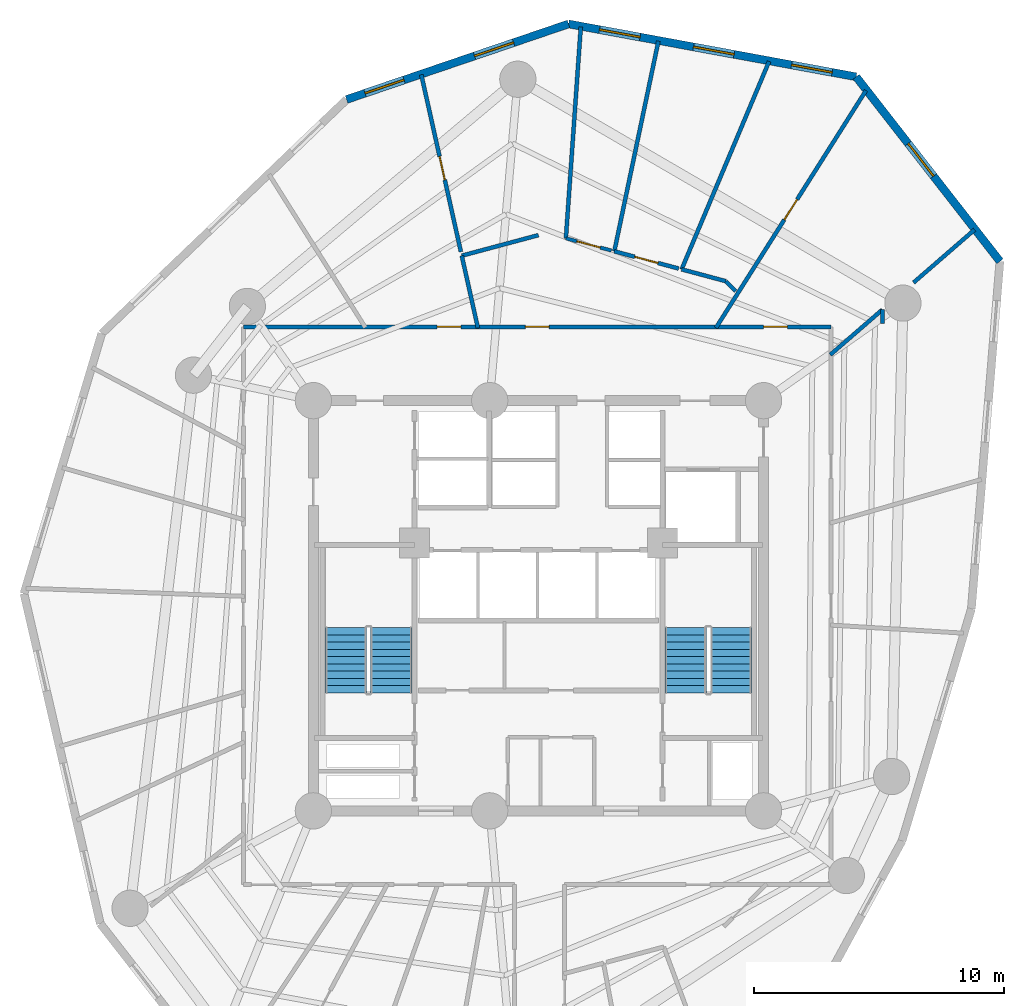
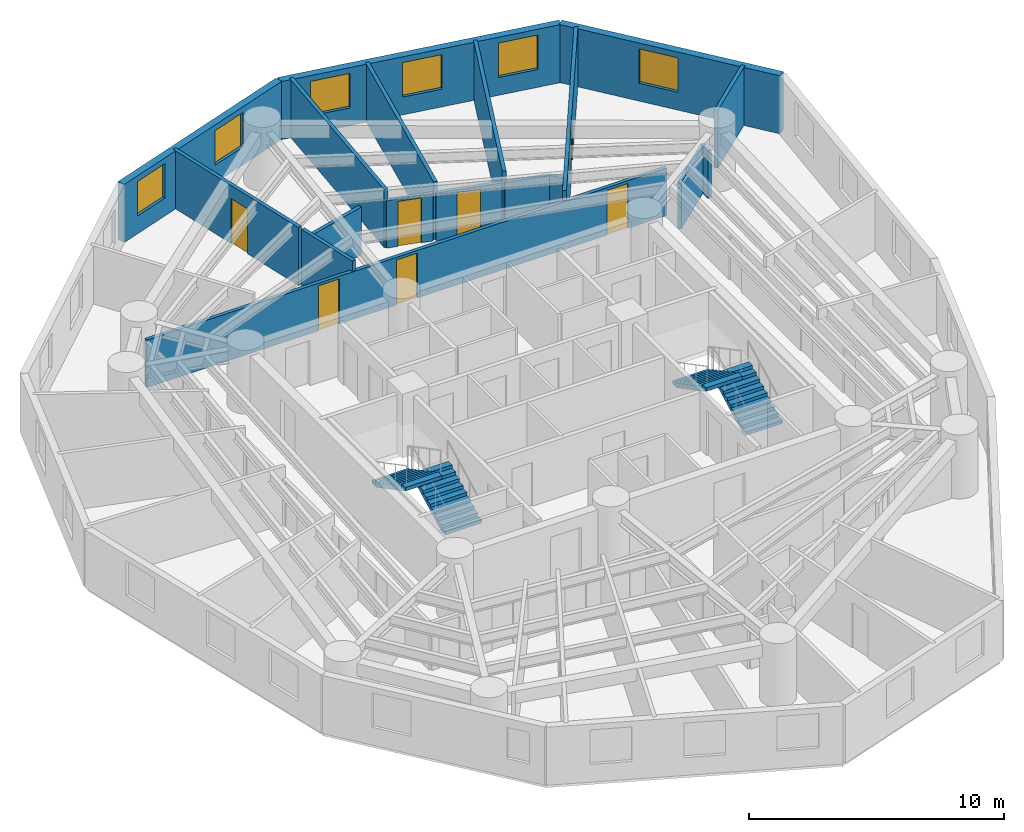
# One storey, part 6 of 7: 18 walls, 7 doors, 6 windows, 4 stair flights, 13 openings, 2 elements without a shape of their own.
"""IFC4 building model written with IfcOpenShell, lengths in metres."""

import ifcopenshell
import ifcopenshell.guid

model = None  # the IFC model being written
_history = None  # IfcOwnerHistory: only IFC2X3 demands one
_inside = {}  # id of a spatial element -> (the spatial element, [elements in it])
_under = {}  # id of a project, library or spatial element -> (it, [spatial elements below it])
_declared = {}  # id of a project -> (the project, [libraries it declares])
_typed = {}  # id of a type object -> (the type object, [elements of that type])
_made_of = {}  # id of a material, layer set ... -> (it, [elements and type objects made of it])


def new_model(schema):
    """Start an empty IFC model of exactly this schema.

    Asked for "IFC4X3", IfcOpenShell would pick the latest addendum, in which some entities
    have other attributes; the version numbers below select the first issue.
    IFC2X3 requires an IfcOwnerHistory on every rooted entity: one is made here for all.
    """
    global model, _history
    if schema == "IFC4X3":
        model = ifcopenshell.file(schema_version=(4, 3, 0, 0))
    else:
        model = ifcopenshell.file(schema=schema)
    _inside.clear()
    _under.clear()
    _declared.clear()
    _typed.clear()
    _made_of.clear()
    _history = None
    if model.schema == "IFC2X3":
        org = make("IfcOrganization", Name="unknown")
        user = make(
            "IfcPersonAndOrganization",
            ThePerson=make("IfcPerson", FamilyName="unknown"),
            TheOrganization=org,
        )
        app = make(
            "IfcApplication",
            ApplicationDeveloper=org,
            Version="unknown",
            ApplicationFullName="unknown",
            ApplicationIdentifier="unknown",
        )
        _history = make(
            "IfcOwnerHistory",
            OwningUser=user,
            OwningApplication=app,
            ChangeAction="ADDED",
            CreationDate=0,
        )
    return model


def make(cls, **values):
    """One entity of the class cls with the attributes given. An attribute that is None is left unset."""
    return model.create_entity(
        cls, **{name: value for name, value in values.items() if value is not None}
    )


def rooted(cls, **values):
    """An entity with a GlobalId (a new one), such as an element, a storey or a relation."""
    return make(cls, GlobalId=ifcopenshell.guid.new(), OwnerHistory=_history, **values)


def si_unit(unit_type, name, prefix=None):
    """IfcSIUnit, for example si_unit("LENGTHUNIT", "METRE", prefix="MILLI")."""
    return make("IfcSIUnit", UnitType=unit_type, Prefix=prefix, Name=name)


def assignment(units):
    """IfcUnitAssignment: the units of a project."""
    return None if units is None else make("IfcUnitAssignment", Units=units)


def point(xyz):
    """IfcCartesianPoint."""
    return None if xyz is None else make("IfcCartesianPoint", Coordinates=xyz)


def direction(xyz):
    """IfcDirection."""
    return None if xyz is None else make("IfcDirection", DirectionRatios=xyz)


def frame(location, z_axis=None, x_axis=None):
    """IfcAxis2Placement3D, a coordinate frame: its origin and axes. An axis left out is left unset."""
    return make(
        "IfcAxis2Placement3D",
        Location=point(location),
        Axis=direction(z_axis),
        RefDirection=direction(x_axis),
    )


def frame_2d(location, x_axis=None):
    """IfcAxis2Placement2D, a coordinate frame in the plane: its origin and x axis."""
    return make(
        "IfcAxis2Placement2D", Location=point(location), RefDirection=direction(x_axis)
    )


def origin():
    """The frame at (0, 0, 0) with its axes left unset."""
    return frame((0.0, 0.0, 0.0))


def origin_with_axes():
    """The frame at (0, 0, 0) with the z axis (0, 0, 1) and the x axis (1, 0, 0) written out."""
    return frame((0.0, 0.0, 0.0), z_axis=(0.0, 0.0, 1.0), x_axis=(1.0, 0.0, 0.0))


def place(relative_to, where):
    """IfcLocalPlacement: puts the frame where relative to a parent placement (None: the world)."""
    return make(
        "IfcLocalPlacement", PlacementRelTo=relative_to, RelativePlacement=where
    )


def context(
    kind, dimensions, precision=None, world=None, true_north=None, identifier=None
):
    """IfcGeometricRepresentationContext, for example the 3D "Model" context."""
    return make(
        "IfcGeometricRepresentationContext",
        ContextIdentifier=identifier,
        ContextType=kind,
        CoordinateSpaceDimension=dimensions,
        Precision=precision,
        WorldCoordinateSystem=world,
        TrueNorth=true_north,
    )


def subcontext(parent, identifier, kind, view, scale=None):
    """IfcGeometricRepresentationSubContext, for example "Body" below "Model"."""
    return make(
        "IfcGeometricRepresentationSubContext",
        ContextIdentifier=identifier,
        ContextType=kind,
        ParentContext=parent,
        TargetScale=scale,
        TargetView=view,
    )


def project(units=None, contexts=None):
    """IfcProject with its units and contexts."""
    return rooted(
        "IfcProject",
        Name="project",
        RepresentationContexts=contexts,
        UnitsInContext=assignment(units),
    )


def spatial(cls, under=None, at=None, **own):
    """A site, building, storey or space (cls), placed at a placement, below another one or the project."""
    s = rooted(cls, ObjectPlacement=at, **own)
    if under is not None:
        _under.setdefault(under.id(), (under, []))[1].append(s)
    return s


def polyline(points):
    """IfcPolyline through the points."""
    return make("IfcPolyline", Points=[point(p) for p in points])


def profile(cls, at=None, kind="AREA", **sizes):
    """A parametric profile (cls). Its sizes go by their IFC names, for example OverallWidth=200.0."""
    return make(cls, ProfileType=kind, Position=at, **sizes)


def rectangle(**sizes):
    """IfcRectangleProfileDef."""
    return profile("IfcRectangleProfileDef", **sizes)


def outline(outer, holes=None, kind="AREA"):
    """IfcArbitraryClosedProfileDef: a profile drawn as a closed curve; with holes, ...WithVoids."""
    if holes is None:
        return make("IfcArbitraryClosedProfileDef", ProfileType=kind, OuterCurve=outer)
    return make(
        "IfcArbitraryProfileDefWithVoids",
        ProfileType=kind,
        OuterCurve=outer,
        InnerCurves=holes,
    )


def extrude(swept, where, along, depth):
    """IfcExtrudedAreaSolid: the profile swept, set in the frame where, extruded along a direction by depth."""
    return make(
        "IfcExtrudedAreaSolid",
        SweptArea=swept,
        Position=where,
        ExtrudedDirection=direction(along),
        Depth=depth,
    )


def shape(context_of_items, identifier, shape_type, items):
    """IfcShapeRepresentation: the items that make up one representation, for example the "Body"."""
    return make(
        "IfcShapeRepresentation",
        ContextOfItems=context_of_items,
        RepresentationIdentifier=identifier,
        RepresentationType=shape_type,
        Items=items,
    )


def source(mapping_origin, context_of_items, identifier, shape_type, items):
    """IfcRepresentationMap: a shape defined once, which mapped items show again and again."""
    return make(
        "IfcRepresentationMap",
        MappingOrigin=mapping_origin,
        MappedRepresentation=shape(context_of_items, identifier, shape_type, items),
    )


def transform(
    local_origin,
    x_axis=None,
    y_axis=None,
    z_axis=None,
    scale=None,
    scale2=None,
    scale3=None,
    uniform=True,
):
    """IfcCartesianTransformationOperator3D, or its non-uniform kind. x_axis, y_axis, z_axis: its Axis1, 2, 3."""
    if uniform:
        return make(
            "IfcCartesianTransformationOperator3D",
            Axis1=direction(x_axis),
            Axis2=direction(y_axis),
            LocalOrigin=point(local_origin),
            Scale=scale,
            Axis3=direction(z_axis),
        )
    return make(
        "IfcCartesianTransformationOperator3DnonUniform",
        Axis1=direction(x_axis),
        Axis2=direction(y_axis),
        LocalOrigin=point(local_origin),
        Scale=scale,
        Axis3=direction(z_axis),
        Scale2=scale2,
        Scale3=scale3,
    )


def mapped(mapping_source, mapping_target):
    """IfcMappedItem: shows the shape of a source again, moved by a transform."""
    return make(
        "IfcMappedItem", MappingSource=mapping_source, MappingTarget=mapping_target
    )


def material(Name=None, Category=None):
    """IfcMaterial."""
    return make("IfcMaterial", Name=Name, Category=Category)


def layer(
    of_material, thickness, ventilated=None, Name=None, Category=None, Priority=None
):
    """IfcMaterialLayer: one layer of a wall or slab, of a material (None: an air gap)."""
    return make(
        "IfcMaterialLayer",
        Material=of_material,
        LayerThickness=thickness,
        IsVentilated=ventilated,
        Name=Name,
        Category=Category,
        Priority=Priority,
    )


def layer_set(layers, Name=None):
    """IfcMaterialLayerSet."""
    return make("IfcMaterialLayerSet", MaterialLayers=layers, LayerSetName=Name)


def made_of(thing, what):
    """Note that an element or type object is made of a material, layer set ...; save() writes the relation."""
    if what is not None:
        _made_of.setdefault(what.id(), (what, []))[1].append(thing)
    return thing


def type_object(cls, material=None, **own):
    """A type object (cls), such as IfcWallType, which elements share."""
    return made_of(rooted(cls, **own), material)


def element(
    cls,
    number,
    at=None,
    inside=None,
    cuts=None,
    type_object=None,
    material=None,
    context=None,
    identifier="Body",
    shape_type=None,
    held_by="IfcProductDefinitionShape",
    body=None,
    shapes=None,
    **own,
):
    """One element of the class cls, such as IfcWall. Its Tag is "e" and its number.

    at: its placement. inside: the storey or other place that contains it. cuts: it is an
    opening in that element (IfcRelVoidsElement). A single representation is given by context,
    identifier, shape_type and body (its items); several are given by shapes. held_by: the class
    of the entity that holds the representations. save() writes the other relations.
    """
    e = rooted(cls, Tag="e%d" % number, ObjectPlacement=at, **own)
    if body is not None:
        shapes = [shape(context, identifier, shape_type, body)]
    if shapes is not None:
        e.Representation = make(held_by, Representations=shapes)
    if inside is not None:
        _inside.setdefault(inside.id(), (inside, []))[1].append(e)
    if cuts is not None:
        rooted(
            "IfcRelVoidsElement", RelatingBuildingElement=cuts, RelatedOpeningElement=e
        )
    if type_object is not None:
        _typed.setdefault(type_object.id(), (type_object, []))[1].append(e)
    return made_of(e, material)


def fill(opening, filler):
    """IfcRelFillsElement: the door or window that sits in an opening."""
    return rooted(
        "IfcRelFillsElement",
        RelatingOpeningElement=opening,
        RelatedBuildingElement=filler,
    )


def aggregate(whole, parts):
    """IfcRelAggregates: a whole, such as a stair, and the parts it consists of."""
    return rooted("IfcRelAggregates", RelatingObject=whole, RelatedObjects=parts)


def save(model, path):
    """Write the relations noted so far, then the file.

    IfcRelAggregates (storeys below a building ...), IfcRelContainedInSpatialStructure (elements
    in a storey), IfcRelDefinesByType, IfcRelAssociatesMaterial and IfcRelDeclares: one each for
    every whole, place, type object, material and project.
    """
    for whole, parts in _under.values():
        aggregate(whole, parts)
    for where, things in _inside.values():
        rooted(
            "IfcRelContainedInSpatialStructure",
            RelatedElements=things,
            RelatingStructure=where,
        )
    for kind, things in _typed.values():
        rooted("IfcRelDefinesByType", RelatedObjects=things, RelatingType=kind)
    for what, things in _made_of.values():
        rooted("IfcRelAssociatesMaterial", RelatedObjects=things, RelatingMaterial=what)
    for by, libraries in _declared.values():
        rooted("IfcRelDeclares", RelatingContext=by, RelatedDefinitions=libraries)
    model.write(path)


model = new_model("IFC4")

# Units and contexts
model_context = context("Model", 3, precision=1e-05, world=origin(), true_north=direction((0.0, 1.0)))
body_context = subcontext(model_context, "Body", "Model", "MODEL_VIEW")
ifc_project = project(units=[si_unit("LENGTHUNIT", "METRE"), si_unit("AREAUNIT", "SQUARE_METRE"), si_unit("VOLUMEUNIT", "CUBIC_METRE"), si_unit("PLANEANGLEUNIT", "RADIAN"), si_unit("MASSUNIT", "GRAM", prefix="KILO")], contexts=[model_context])

# Site, building, storey
site_placement = place(None, origin())
site = spatial("IfcSite", under=ifc_project, at=site_placement, CompositionType="ELEMENT")
building_placement = place(site_placement, origin())
building = spatial("IfcBuilding", under=site, at=building_placement, Name="Karkom Vertical University and Central Library", CompositionType="ELEMENT")
storey_placement = place(building_placement, frame((0.0, 0.0, 145.0)))
storey = spatial("IfcBuildingStorey", under=building, at=storey_placement, Name="L41", CompositionType="ELEMENT", Elevation=145.0)

# Wall, opening, window
ifc_material_1 = material(Name="Brick-faced precast concrete C45/55", Category="masonry")
ifc_layer_1 = layer(ifc_material_1, 0.320068359375)
ifc_layer_set_1 = layer_set([ifc_layer_1], Name="Brick-faced precast concrete C45/55")
wall_type_1 = type_object("IfcWallType", Name="ENV-WL-BRK-320", PredefinedType="SOLIDWALL", material=ifc_layer_set_1)
wall_1_placement = place(storey_placement, frame((46.9521484375, 40.268798828125, 0.0), z_axis=(0.0, 0.0, 1.0), x_axis=(-0.614637767428, 0.788809492115, 0.0)))
wall_1 = element("IfcWall", 1, at=wall_1_placement, inside=storey, type_object=wall_type_1, Name="Level 41 Brick-Faced Precast Facade Wall 09", PredefinedType="SOLIDWALL", context=body_context, shape_type="SweptSolid", body=[
    extrude(rectangle(XDim=9.355224609375, YDim=0.320068359375, at=frame_2d((4.677734375, 0.0))), origin(), (0.0, 0.0, 1.0), 2.77490234375),
])
opening_1_placement = place(wall_1_placement, frame((4.320556640625, 0.0, 0.85009765625)))
opening_1 = element("IfcOpeningElement", 2, at=opening_1_placement, cuts=wall_1, Name="Opening WN-06", PredefinedType="OPENING", context=body_context, shape_type="SweptSolid", body=[
    extrude(rectangle(XDim=1.64990234375, YDim=1.64990234375, at=frame_2d((0.824951171875, 0.824951171875))), frame((0.0, 0.169921875, 0.0), z_axis=(0.0, -1.0, 0.0), x_axis=(1.0, 0.0, 0.0)), (0.0, 0.0, 1.0), 0.340087890625),
])
ifc_material_2 = material(Name="Aluminium thermal-break frame with solar-control IGU", Category="aluminium")
window_type = type_object("IfcWindowType", Name="ENV-WIN-WN-06", PartitioningType="SINGLE_PANEL", PredefinedType="WINDOW", material=ifc_material_2)
shared_shape_1 = source(origin_with_axes(), body_context, "Body", "SweptSolid", [
    extrude(rectangle(XDim=1.64990234375, YDim=1.64990234375, at=frame_2d((0.824951171875, 0.824951171875))), frame((0.0, 0.030029296875, 0.0), z_axis=(0.0, -1.0, 0.0), x_axis=(1.0, 0.0, 0.0)), (0.0, 0.0, 1.0), 0.06005859375),
])
window_1_placement = place(opening_1_placement, origin())
window_1 = element("IfcWindow", 3, at=window_1_placement, inside=storey, type_object=window_type, Name="Level 41 Punched Window 9.1", OverallHeight=1.64990234375, OverallWidth=1.64990234375, PartitioningType="SINGLE_PANEL", PredefinedType="WINDOW", context=body_context, shape_type="MappedRepresentation", body=[
    mapped(shared_shape_1, transform((0.0, 0.0, 0.0), scale=1.0)),
])
fill(opening_1, window_1)

# Wall, openings, windows
wall_2_placement = place(storey_placement, frame((41.2021484375, 47.648193359375, 0.0), z_axis=(0.0, 0.0, 1.0), x_axis=(-0.983538154894, 0.180700575175, 0.0)))
wall_2 = element("IfcWall", 4, at=wall_2_placement, inside=storey, type_object=wall_type_1, Name="Level 41 Brick-Faced Precast Facade Wall 10", PredefinedType="SOLIDWALL", context=body_context, shape_type="SweptSolid", body=[
    extrude(rectangle(XDim=11.692138671875, YDim=0.320068359375, at=frame_2d((5.84619140625, 0.0))), origin(), (0.0, 0.0, 1.0), 2.77490234375),
])
opening_2_placement = place(wall_2_placement, frame((0.976806640625, 0.0, 0.85009765625)))
opening_2 = element("IfcOpeningElement", 5, at=opening_2_placement, cuts=wall_2, Name="Opening WN-06", PredefinedType="OPENING", context=body_context, shape_type="SweptSolid", body=[
    extrude(rectangle(XDim=1.64990234375, YDim=1.64990234375, at=frame_2d((0.824951171875, 0.824951171875))), frame((0.0, 0.169921875, 0.0), z_axis=(0.0, -1.0, 0.0), x_axis=(1.0, 0.0, 0.0)), (0.0, 0.0, 1.0), 0.340087890625),
])
opening_3_placement = place(wall_2_placement, frame((4.964599609375, 0.0, 0.85009765625)))
opening_3 = element("IfcOpeningElement", 6, at=opening_3_placement, cuts=wall_2, Name="Opening WN-06", PredefinedType="OPENING", context=body_context, shape_type="SweptSolid", body=[
    extrude(rectangle(XDim=1.64990234375, YDim=1.64990234375, at=frame_2d((0.824951171875, 0.824951171875))), frame((0.0, 0.169921875, 0.0), z_axis=(0.0, -1.0, 0.0), x_axis=(1.0, 0.0, 0.0)), (0.0, 0.0, 1.0), 0.340087890625),
])
opening_4_placement = place(wall_2_placement, frame((8.785400390625, 0.0, 0.85009765625)))
opening_4 = element("IfcOpeningElement", 7, at=opening_4_placement, cuts=wall_2, Name="Opening WN-06", PredefinedType="OPENING", context=body_context, shape_type="SweptSolid", body=[
    extrude(rectangle(XDim=1.64990234375, YDim=1.64990234375, at=frame_2d((0.824951171875, 0.824951171875))), frame((0.0, 0.169921875, 0.0), z_axis=(0.0, -1.0, 0.0), x_axis=(1.0, 0.0, 0.0)), (0.0, 0.0, 1.0), 0.340087890625),
])
window_2_placement = place(opening_2_placement, origin())
window_2 = element("IfcWindow", 8, at=window_2_placement, inside=storey, type_object=window_type, Name="Level 41 Punched Window 10.1", OverallHeight=1.64990234375, OverallWidth=1.64990234375, PartitioningType="SINGLE_PANEL", PredefinedType="WINDOW", context=body_context, shape_type="MappedRepresentation", body=[
    mapped(shared_shape_1, transform((0.0, 0.0, 0.0), scale=1.0)),
])
fill(opening_2, window_2)
window_3_placement = place(opening_3_placement, origin())
window_3 = element("IfcWindow", 9, at=window_3_placement, inside=storey, type_object=window_type, Name="Level 41 Punched Window 10.2", OverallHeight=1.64990234375, OverallWidth=1.64990234375, PartitioningType="SINGLE_PANEL", PredefinedType="WINDOW", context=body_context, shape_type="MappedRepresentation", body=[
    mapped(shared_shape_1, transform((0.0, 0.0, 0.0), scale=1.0)),
])
fill(opening_3, window_3)
window_4_placement = place(opening_4_placement, origin())
window_4 = element("IfcWindow", 10, at=window_4_placement, inside=storey, type_object=window_type, Name="Level 41 Punched Window 10.3", OverallHeight=1.64990234375, OverallWidth=1.64990234375, PartitioningType="SINGLE_PANEL", PredefinedType="WINDOW", context=body_context, shape_type="MappedRepresentation", body=[
    mapped(shared_shape_1, transform((0.0, 0.0, 0.0), scale=1.0)),
])
fill(opening_4, window_4)

wall_3_placement = place(storey_placement, frame((29.702392578125, 49.760986328125, 0.0), z_axis=(0.0, 0.0, 1.0), x_axis=(-0.94668032656, -0.322174423728, 0.0)))
wall_3 = element("IfcWall", 11, at=wall_3_placement, inside=storey, type_object=wall_type_1, Name="Level 41 Brick-Faced Precast Facade Wall 11", PredefinedType="SOLIDWALL", context=body_context, shape_type="SweptSolid", body=[
    extrude(rectangle(XDim=9.37548828125, YDim=0.320068359375, at=frame_2d((4.687744140625, 0.0))), origin(), (0.0, 0.0, 1.0), 2.77490234375),
])
opening_5_placement = place(wall_3_placement, frame((2.3203125, 0.0, 0.85009765625)))
opening_5 = element("IfcOpeningElement", 12, at=opening_5_placement, cuts=wall_3, Name="Opening WN-06", PredefinedType="OPENING", context=body_context, shape_type="SweptSolid", body=[
    extrude(rectangle(XDim=1.64990234375, YDim=1.64990234375, at=frame_2d((0.824951171875, 0.824951171875))), frame((0.0, 0.169921875, 0.0), z_axis=(0.0, -1.0, 0.0), x_axis=(1.0, 0.0, 0.0)), (0.0, 0.0, 1.0), 0.340087890625),
])
opening_6_placement = place(wall_3_placement, frame((6.947998046875, 0.0, 0.85009765625)))
opening_6 = element("IfcOpeningElement", 13, at=opening_6_placement, cuts=wall_3, Name="Opening WN-06", PredefinedType="OPENING", context=body_context, shape_type="SweptSolid", body=[
    extrude(rectangle(XDim=1.64990234375, YDim=1.64990234375, at=frame_2d((0.824951171875, 0.824951171875))), frame((0.0, 0.169921875, 0.0), z_axis=(0.0, -1.0, 0.0), x_axis=(1.0, 0.0, 0.0)), (0.0, 0.0, 1.0), 0.340087890625),
])
window_5_placement = place(opening_5_placement, origin())
window_5 = element("IfcWindow", 14, at=window_5_placement, inside=storey, type_object=window_type, Name="Level 41 Punched Window 11.1", OverallHeight=1.64990234375, OverallWidth=1.64990234375, PartitioningType="SINGLE_PANEL", PredefinedType="WINDOW", context=body_context, shape_type="MappedRepresentation", body=[
    mapped(shared_shape_1, transform((0.0, 0.0, 0.0), scale=1.0)),
])
fill(opening_5, window_5)
window_6_placement = place(opening_6_placement, origin())
window_6 = element("IfcWindow", 15, at=window_6_placement, inside=storey, type_object=window_type, Name="Level 41 Punched Window 11.2", OverallHeight=1.64990234375, OverallWidth=1.64990234375, PartitioningType="SINGLE_PANEL", PredefinedType="WINDOW", context=body_context, shape_type="MappedRepresentation", body=[
    mapped(shared_shape_1, transform((0.0, 0.0, 0.0), scale=1.0)),
])
fill(opening_6, window_6)

# Wall, openings, doors
ifc_material_3 = material(Name="Insulated metal-stud drywall 160mm", Category="gypsum")
ifc_layer_2 = layer(ifc_material_3, 0.159912109375)
ifc_layer_set_2 = layer_set([ifc_layer_2], Name="Insulated metal-stud drywall 160mm")
wall_type_2 = type_object("IfcWallType", Name="INT-WL-COR-160", PredefinedType="PARTITIONING", material=ifc_layer_set_2)
wall_4_placement = place(storey_placement, frame((16.699951171875, 37.64990234375, 0.0), z_axis=(0.0, 0.0, 1.0), x_axis=(1.0, 0.0, 0.0)))
wall_4 = element("IfcWall", 16, at=wall_4_placement, inside=storey, type_object=wall_type_2, Name="Level 41 Interior Partition Wall L41-CORW-CW-003", PredefinedType="PARTITIONING", context=body_context, shape_type="SweptSolid", body=[
    extrude(rectangle(XDim=23.5, YDim=0.159912109375, at=frame_2d((11.75, 0.0))), origin(), (0.0, 0.0, 1.0), 2.27490234375),
])
opening_7_placement = place(wall_4_placement, frame((20.80029296875, 0.0, 0.0)))
opening_7 = element("IfcOpeningElement", 17, at=opening_7_placement, cuts=wall_4, Name="Opening D-RM1", PredefinedType="OPENING", context=body_context, shape_type="SweptSolid", body=[
    extrude(rectangle(XDim=0.949951171875, YDim=2.14990234375, at=frame_2d((0.47509765625, 1.074951171875))), frame((0.0, 0.08984375, 0.0), z_axis=(0.0, -1.0, 0.0), x_axis=(1.0, 0.0, 0.0)), (0.0, 0.0, 1.0), 0.179931640625),
])
opening_8_placement = place(wall_4_placement, frame((11.27490234375, 0.0, 0.0)))
opening_8 = element("IfcOpeningElement", 18, at=opening_8_placement, cuts=wall_4, Name="Opening D-RM1", PredefinedType="OPENING", context=body_context, shape_type="SweptSolid", body=[
    extrude(rectangle(XDim=0.949951171875, YDim=2.14990234375, at=frame_2d((0.47509765625, 1.074951171875))), frame((0.0, 0.08984375, 0.0), z_axis=(0.0, -1.0, 0.0), x_axis=(1.0, 0.0, 0.0)), (0.0, 0.0, 1.0), 0.179931640625),
])
opening_9_placement = place(wall_4_placement, frame((7.75, 0.0, 0.0)))
opening_9 = element("IfcOpeningElement", 19, at=opening_9_placement, cuts=wall_4, Name="Opening D-RM1", PredefinedType="OPENING", context=body_context, shape_type="SweptSolid", body=[
    extrude(rectangle(XDim=0.949951171875, YDim=2.14990234375, at=frame_2d((0.47509765625, 1.074951171875))), frame((0.0, 0.08984375, 0.0), z_axis=(0.0, -1.0, 0.0), x_axis=(1.0, 0.0, 0.0)), (0.0, 0.0, 1.0), 0.179931640625),
])
ifc_material_4 = material(Name="Solid-core oak veneer door", Category="wood")
door_type_1 = type_object("IfcDoorType", Name="INT-DR-RM1", OperationType="NOTDEFINED", PredefinedType="DOOR", material=ifc_material_4)
shared_shape_2 = source(origin_with_axes(), body_context, "Body", "SweptSolid", [
    extrude(rectangle(XDim=0.949951171875, YDim=2.14990234375, at=frame_2d((0.47509765625, 1.074951171875))), frame((0.0, 0.02490234375, 0.0), z_axis=(0.0, -1.0, 0.0), x_axis=(1.0, 0.0, 0.0)), (0.0, 0.0, 1.0), 0.050048828125),
])
door_1_placement = place(opening_7_placement, origin())
door_1 = element("IfcDoor", 20, at=door_1_placement, inside=storey, type_object=door_type_1, Name="Level 41 Room Entry Door 150", OperationType="SINGLE_SWING_LEFT", OverallHeight=2.14990234375, OverallWidth=0.949951171875, PredefinedType="DOOR", context=body_context, shape_type="MappedRepresentation", body=[
    mapped(shared_shape_2, transform((0.0, 0.0, 0.0), scale=1.0)),
])
fill(opening_7, door_1)
door_2_placement = place(opening_8_placement, origin())
door_2 = element("IfcDoor", 21, at=door_2_placement, inside=storey, type_object=door_type_1, Name="Level 41 Room Entry Door 180", OperationType="SINGLE_SWING_RIGHT", OverallHeight=2.14990234375, OverallWidth=0.949951171875, PredefinedType="DOOR", context=body_context, shape_type="MappedRepresentation", body=[
    mapped(shared_shape_2, transform((0.0, 0.0, 0.0), scale=1.0)),
])
fill(opening_8, door_2)
door_3_placement = place(opening_9_placement, origin())
door_3 = element("IfcDoor", 22, at=door_3_placement, inside=storey, type_object=door_type_1, Name="Level 41 Room Entry Door 210", OperationType="SINGLE_SWING_LEFT", OverallHeight=2.14990234375, OverallWidth=0.949951171875, PredefinedType="DOOR", context=body_context, shape_type="MappedRepresentation", body=[
    mapped(shared_shape_2, transform((0.0, 0.0, 0.0), scale=1.0)),
])
fill(opening_9, door_3)

# Wall, opening, door
wall_5_placement = place(storey_placement, frame((35.595703125, 37.61181640625, 0.0), z_axis=(0.0, 0.0, 1.0), x_axis=(0.534363659372, 0.845254683242, 0.0)))
wall_5 = element("IfcWall", 23, at=wall_5_placement, inside=storey, type_object=wall_type_2, Name="Level 41 Interior Partition Wall L41-PW-020", PredefinedType="PARTITIONING", context=body_context, shape_type="SweptSolid", body=[
    extrude(rectangle(XDim=11.22412109375, YDim=0.159912109375, at=frame_2d((5.612060546875, 0.0))), origin(), (0.0, 0.0, 1.0), 2.77490234375),
])
opening_10_placement = place(wall_5_placement, frame((5.112060546875, 0.0, 0.0)))
opening_10 = element("IfcOpeningElement", 24, at=opening_10_placement, cuts=wall_5, Name="Opening FD-RM2", PredefinedType="OPENING", context=body_context, shape_type="SweptSolid", body=[
    extrude(rectangle(XDim=0.9599609375, YDim=2.14990234375, at=frame_2d((0.47998046875, 1.074951171875))), frame((0.0, 0.08984375, 0.0), z_axis=(0.0, -1.0, 0.0), x_axis=(1.0, 0.0, 0.0)), (0.0, 0.0, 1.0), 0.179931640625),
])
ifc_material_5 = material(Name="Fire-rated oak veneer door", Category="wood")
door_type_2 = type_object("IfcDoorType", Name="INT-DR-FRM2", OperationType="NOTDEFINED", PredefinedType="DOOR", material=ifc_material_5)
shared_shape_3 = source(origin_with_axes(), body_context, "Body", "SweptSolid", [
    extrude(rectangle(XDim=0.9599609375, YDim=2.14990234375, at=frame_2d((0.47998046875, 1.074951171875))), frame((0.0, 0.02490234375, 0.0), z_axis=(0.0, -1.0, 0.0), x_axis=(1.0, 0.0, 0.0)), (0.0, 0.0, 1.0), 0.050048828125),
])
door_4_placement = place(opening_10_placement, origin())
door_4 = element("IfcDoor", 25, at=door_4_placement, inside=storey, type_object=door_type_2, Name="Level 41 Room Entry Door 160", OperationType="SINGLE_SWING_LEFT", OverallHeight=2.14990234375, OverallWidth=0.9599609375, PredefinedType="DOOR", context=body_context, shape_type="MappedRepresentation", body=[
    mapped(shared_shape_3, transform((0.0, 0.0, 0.0), scale=1.0)),
])
fill(opening_10, door_4)

# Walls
wall_6_placement = place(storey_placement, frame((34.222900390625, 39.949462890625, 0.0), z_axis=(0.0, 0.0, 1.0), x_axis=(0.387741059802, 0.92176833887, 0.0)))
element("IfcWall", 26, at=wall_6_placement, inside=storey, type_object=wall_type_2, Name="Level 41 Interior Partition Wall L41-PW-021", PredefinedType="PARTITIONING", context=body_context, shape_type="SweptSolid", body=[
    extrude(rectangle(XDim=9.01708984375, YDim=0.159912109375, at=frame_2d((4.508544921875, 0.0))), origin(), (0.0, 0.0, 1.0), 2.77490234375),
])
wall_7_placement = place(storey_placement, frame((31.53271484375, 40.670166015625, 0.0), z_axis=(0.0, 0.0, 1.0), x_axis=(0.205242513199, 0.978711147773, 0.0)))
element("IfcWall", 27, at=wall_7_placement, inside=storey, type_object=wall_type_2, Name="Level 41 Interior Partition Wall L41-PW-025", PredefinedType="PARTITIONING", context=body_context, shape_type="SweptSolid", body=[
    extrude(rectangle(XDim=8.58837890625, YDim=0.159912109375, at=frame_2d((4.294189453125, 0.0))), origin(), (0.0, 0.0, 1.0), 2.77490234375),
])
wall_8_placement = place(storey_placement, frame((29.595947265625, 41.189208984375, 0.0), z_axis=(0.0, 0.0, 1.0), x_axis=(0.070358749306, 0.997521752342, 0.0)))
element("IfcWall", 28, at=wall_8_placement, inside=storey, type_object=wall_type_2, Name="Level 41 Interior Partition Wall L41-PW-028", PredefinedType="PARTITIONING", context=body_context, shape_type="SweptSolid", body=[
    extrude(rectangle(XDim=8.47705078125, YDim=0.159912109375, at=frame_2d((4.238525390625, 0.0))), origin(), (0.0, 0.0, 1.0), 2.77490234375),
])

# Wall, opening, door
wall_9_placement = place(storey_placement, frame((25.3984375, 40.65185546875, 0.0), z_axis=(0.0, 0.0, 1.0), x_axis=(-0.218163311161, 0.975912275598, 0.0)))
wall_9 = element("IfcWall", 29, at=wall_9_placement, inside=storey, type_object=wall_type_2, Name="Level 41 Interior Partition Wall L41-PW-029", PredefinedType="PARTITIONING", context=body_context, shape_type="SweptSolid", body=[
    extrude(rectangle(XDim=7.25390625, YDim=0.159912109375, at=frame_2d((3.626953125, 0.0))), origin(), (0.0, 0.0, 1.0), 2.77490234375),
])
opening_11_placement = place(wall_9_placement, frame((2.944580078125, 0.0, 0.0)))
opening_11 = element("IfcOpeningElement", 30, at=opening_11_placement, cuts=wall_9, Name="Opening FD-RM2", PredefinedType="OPENING", context=body_context, shape_type="SweptSolid", body=[
    extrude(rectangle(XDim=0.9599609375, YDim=2.14990234375, at=frame_2d((0.47998046875, 1.074951171875))), frame((0.0, 0.08984375, 0.0), z_axis=(0.0, -1.0, 0.0), x_axis=(1.0, 0.0, 0.0)), (0.0, 0.0, 1.0), 0.179931640625),
])
door_5_placement = place(opening_11_placement, origin())
door_5 = element("IfcDoor", 31, at=door_5_placement, inside=storey, type_object=door_type_2, Name="Level 41 Room Entry Door 200", OperationType="SINGLE_SWING_RIGHT", OverallHeight=2.14990234375, OverallWidth=0.9599609375, PredefinedType="DOOR", context=body_context, shape_type="MappedRepresentation", body=[
    mapped(shared_shape_3, transform((0.0, 0.0, 0.0), scale=1.0)),
])
fill(opening_11, door_5)

# Walls
wall_10_placement = place(storey_placement, frame((43.49609375, 39.419921875, 0.0), z_axis=(0.0, 0.0, 1.0), x_axis=(0.755624178617, 0.655005420351, 0.0)))
element("IfcWall", 32, at=wall_10_placement, inside=storey, type_object=wall_type_2, Name="Level 41 Interior Partition Wall L41-PW-019", PredefinedType="PARTITIONING", context=body_context, shape_type="SweptSolid", body=[
    extrude(rectangle(XDim=3.22705078125, YDim=0.159912109375, at=frame_2d((1.613525390625, 0.0))), origin(), (0.0, 0.0, 1.0), 2.77490234375),
])
wall_11_placement = place(storey_placement, frame((25.433349609375, 40.495361328125, 0.0), z_axis=(0.0, 0.0, 1.0), x_axis=(0.965920247207, 0.258839865624, 0.0)))
element("IfcWall", 33, at=wall_11_placement, inside=storey, type_object=wall_type_2, Name="Level 41 Interior Partition Wall L41-PW-026", PredefinedType="PARTITIONING", context=body_context, shape_type="SweptSolid", body=[
    extrude(rectangle(XDim=3.1748046875, YDim=0.159912109375, at=frame_2d((1.58740234375, 0.0))), origin(), (0.0, 0.0, 1.0), 2.27490234375),
])
wall_12_placement = place(storey_placement, frame((26.0791015625, 37.606201171875, 0.0), z_axis=(0.0, 0.0, 1.0), x_axis=(-0.218126558905, 0.975920490768, 0.0)))
element("IfcWall", 34, at=wall_12_placement, inside=storey, type_object=wall_type_2, Name="Level 41 Interior Partition Wall L41-PW-027", PredefinedType="PARTITIONING", context=body_context, shape_type="SweptSolid", body=[
    extrude(rectangle(XDim=2.96044921875, YDim=0.159912109375, at=frame_2d((1.480224609375, 0.0))), origin(), (0.0, 0.0, 1.0), 2.77490234375),
])
wall_13_placement = place(storey_placement, frame((40.166015625, 36.533203125, 0.0), z_axis=(0.0, 0.0, 1.0), x_axis=(0.755595613728, 0.655038371788, 0.0)))
element("IfcWall", 35, at=wall_13_placement, inside=storey, type_object=wall_type_2, Name="Level 41 Interior Partition Wall L41-PW-017", PredefinedType="PARTITIONING", context=body_context, shape_type="SweptSolid", body=[
    extrude(rectangle(XDim=2.758056640625, YDim=0.159912109375, at=frame_2d((1.37890625, 0.0))), origin(), (0.0, 0.0, 1.0), 2.219970703125),
])

# Wall, opening, door
wall_14_placement = place(storey_placement, frame((34.105712890625, 39.980712890625, 0.0), z_axis=(0.0, 0.0, 1.0), x_axis=(-0.965923913915, 0.258826182076, 0.0)))
wall_14 = element("IfcWall", 36, at=wall_14_placement, inside=storey, type_object=wall_type_2, Name="Level 41 Interior Partition Wall L41-PW-024", PredefinedType="PARTITIONING", context=body_context, shape_type="SweptSolid", body=[
    extrude(rectangle(XDim=2.663818359375, YDim=0.159912109375, at=frame_2d((1.33203125, 0.0))), origin(), (0.0, 0.0, 1.0), 2.27490234375),
])
opening_12_placement = place(wall_14_placement, frame((0.85693359375, 0.0, 0.0)))
opening_12 = element("IfcOpeningElement", 37, at=opening_12_placement, cuts=wall_14, Name="Opening FD-RM2", PredefinedType="OPENING", context=body_context, shape_type="SweptSolid", body=[
    extrude(rectangle(XDim=0.9599609375, YDim=2.14990234375, at=frame_2d((0.47998046875, 1.074951171875))), frame((0.0, 0.08984375, 0.0), z_axis=(0.0, -1.0, 0.0), x_axis=(1.0, 0.0, 0.0)), (0.0, 0.0, 1.0), 0.179931640625),
])
door_6_placement = place(opening_12_placement, origin())
door_6 = element("IfcDoor", 38, at=door_6_placement, inside=storey, type_object=door_type_2, Name="Level 41 Room Entry Door 170", OperationType="SINGLE_SWING_RIGHT", OverallHeight=2.14990234375, OverallWidth=0.9599609375, PredefinedType="DOOR", context=body_context, shape_type="MappedRepresentation", body=[
    mapped(shared_shape_3, transform((0.0, 0.0, 0.0), scale=1.0)),
])
fill(opening_12, door_6)

# Walls
wall_15_placement = place(storey_placement, frame((35.991455078125, 39.4755859375, 0.0), z_axis=(0.0, 0.0, 1.0), x_axis=(-0.965926624666, 0.258816065499, 0.0)))
element("IfcWall", 39, at=wall_15_placement, inside=storey, type_object=wall_type_2, Name="Level 41 Interior Partition Wall L41-PW-022", PredefinedType="PARTITIONING", context=body_context, shape_type="SweptSolid", body=[
    extrude(rectangle(XDim=1.8310546875, YDim=0.159912109375, at=frame_2d((0.91552734375, 0.0))), origin(), (0.0, 0.0, 1.0), 2.27490234375),
])
wall_16_placement = place(storey_placement, frame((42.25, 38.33984375, 0.0), z_axis=(0.0, 0.0, 1.0), x_axis=(0.0, -1.0, 0.0)))
element("IfcWall", 40, at=wall_16_placement, inside=storey, type_object=wall_type_2, Name="Level 41 Interior Partition Wall L41-PW-018", PredefinedType="PARTITIONING", context=body_context, shape_type="SweptSolid", body=[
    extrude(rectangle(XDim=0.559814453125, YDim=0.159912109375, at=frame_2d((0.27978515625, 0.0))), origin(), (0.0, 0.0, 1.0), 2.27490234375),
])
wall_17_placement = place(storey_placement, frame((36.3837890625, 39.0830078125, 0.0), z_axis=(0.0, 0.0, 1.0), x_axis=(-0.706886807091, 0.707326686871, 0.0)))
element("IfcWall", 41, at=wall_17_placement, inside=storey, type_object=wall_type_2, Name="Level 41 Interior Partition Wall L41-PW-023", PredefinedType="PARTITIONING", context=body_context, shape_type="SweptSolid", body=[
    extrude(rectangle(XDim=0.554931640625, YDim=0.159912109375, at=frame_2d((0.27734375, 0.0))), origin(), (0.0, 0.0, 1.0), 2.27490234375),
])

# Wall, opening, door
ifc_material_6 = material(Name="Metal-stud gypsum partition 140mm", Category="gypsum")
ifc_layer_3 = layer(ifc_material_6, 0.139892578125)
ifc_layer_set_3 = layer_set([ifc_layer_3], Name="Metal-stud gypsum partition 140mm")
wall_type_3 = type_object("IfcWallType", Name="INT-WL-SUB-140", PredefinedType="PARTITIONING", material=ifc_layer_set_3)
wall_18_placement = place(storey_placement, frame((31.416748046875, 40.701416015625, 0.0), z_axis=(0.0, 0.0, 1.0), x_axis=(-0.965937646204, 0.258774928549, 0.0)))
wall_18 = element("IfcWall", 42, at=wall_18_placement, inside=storey, type_object=wall_type_3, Name="Level 41 Interior Partition Wall L41-CWALL-190", PredefinedType="PARTITIONING", context=body_context, shape_type="SweptSolid", body=[
    extrude(rectangle(XDim=1.885009765625, YDim=0.139892578125, at=frame_2d((0.9423828125, 0.0))), origin(), (0.0, 0.0, 1.0), 2.27490234375),
])
opening_13_placement = place(wall_18_placement, frame((0.467529296875, 0.0, 0.0)))
opening_13 = element("IfcOpeningElement", 43, at=opening_13_placement, cuts=wall_18, Name="Opening FD-RM2", PredefinedType="OPENING", context=body_context, shape_type="SweptSolid", body=[
    extrude(rectangle(XDim=0.9599609375, YDim=2.14990234375, at=frame_2d((0.47998046875, 1.074951171875))), frame((0.0, 0.080078125, 0.0), z_axis=(0.0, -1.0, 0.0), x_axis=(1.0, 0.0, 0.0)), (0.0, 0.0, 1.0), 0.159912109375),
])
door_7_placement = place(opening_13_placement, origin())
door_7 = element("IfcDoor", 44, at=door_7_placement, inside=storey, type_object=door_type_2, Name="Level 41 Room Entry Door 190", OperationType="SINGLE_SWING_LEFT", OverallHeight=2.14990234375, OverallWidth=0.9599609375, PredefinedType="DOOR", context=body_context, shape_type="MappedRepresentation", body=[
    mapped(shared_shape_3, transform((0.0, 0.0, 0.0), scale=1.0)),
])
fill(opening_13, door_7)

# Stair, stair flights
ifc_material_7 = material(Name="Concrete C45/55", Category="concrete")
stair_type = type_object("IfcStairType", Name="INT-STR-ST-MAIN", PredefinedType="HALF_TURN_STAIR", material=ifc_material_7)
stair_1_placement = place(storey_placement, origin())
stair_1 = element("IfcStair", 45, at=stair_1_placement, inside=storey, type_object=stair_type, Name="Level 41 Tower Protected Exit Stair ST-1", PredefinedType="HALF_TURN_STAIR")
stair_flight_type = type_object("IfcStairFlightType", Name="INT-SFL-ST-MAIN", PredefinedType="STRAIGHT", material=ifc_material_7)
stair_flight_1_placement = place(storey_placement, frame((22.614990234375, 23.02001953125, 0.0), z_axis=(0.0, 0.0, 1.0), x_axis=(0.0, 1.0, 0.0)))
stair_flight_1 = element("IfcStairFlight", 46, at=stair_flight_1_placement, type_object=stair_flight_type, Name="ST-1 flight 1", NumberOfRisers=10, NumberOfTreads=9, PredefinedType="STRAIGHT", RiserHeight=0.1525, TreadLength=0.29, context=body_context, shape_type="SweptSolid", body=[
    extrude(outline(polyline([(0.0, 0.0), (0.0, 0.152587890625), (0.2900390625, 0.152587890625), (0.2900390625, 0.304931640625), (0.580078125, 0.304931640625), (0.580078125, 0.45751953125), (0.8701171875, 0.45751953125), (0.8701171875, 0.610107421875), (1.159912109375, 0.610107421875), (1.159912109375, 0.762451171875), (1.449951171875, 0.762451171875), (1.449951171875, 0.9150390625), (1.739990234375, 0.9150390625), (1.739990234375, 1.0673828125), (2.030029296875, 1.0673828125), (2.030029296875, 1.219970703125), (2.320068359375, 1.219970703125), (2.320068359375, 1.37255859375), (2.610107421875, 1.37255859375), (2.610107421875, 1.52490234375), (2.610107421875, 1.203125), (0.322021484375, 0.0), (0.0, 0.0)])), frame((0.0, 0.824951171875, 0.0), z_axis=(0.0, -1.0, 0.0), x_axis=(1.0, 0.0, 0.0)), (0.0, 0.0, 1.0), 1.64990234375),
])
stair_flight_2_placement = place(storey_placement, frame((20.804931640625, 25.6298828125, 1.52490234375), z_axis=(0.0, 0.0, 1.0), x_axis=(0.0, -1.0, 0.0)))
stair_flight_2 = element("IfcStairFlight", 47, at=stair_flight_2_placement, type_object=stair_flight_type, Name="ST-1 flight 2", NumberOfRisers=10, NumberOfTreads=9, PredefinedType="STRAIGHT", RiserHeight=0.1525, TreadLength=0.29, context=body_context, shape_type="SweptSolid", body=[
    extrude(outline(polyline([(0.0, 0.0), (0.0, 0.152587890625), (0.2900390625, 0.152587890625), (0.2900390625, 0.304931640625), (0.580078125, 0.304931640625), (0.580078125, 0.45751953125), (0.8701171875, 0.45751953125), (0.8701171875, 0.610107421875), (1.159912109375, 0.610107421875), (1.159912109375, 0.762451171875), (1.449951171875, 0.762451171875), (1.449951171875, 0.9150390625), (1.739990234375, 0.9150390625), (1.739990234375, 1.0673828125), (2.030029296875, 1.0673828125), (2.030029296875, 1.219970703125), (2.320068359375, 1.219970703125), (2.320068359375, 1.37255859375), (2.610107421875, 1.37255859375), (2.610107421875, 1.52490234375), (2.610107421875, 1.203125), (0.322021484375, 0.0), (0.0, 0.0)])), frame((0.0, 0.824951171875, 0.0), z_axis=(0.0, -1.0, 0.0), x_axis=(1.0, 0.0, 0.0)), (0.0, 0.0, 1.0), 1.64990234375),
])
aggregate(stair_1, [stair_flight_1, stair_flight_2])

stair_2_placement = place(storey_placement, origin())
stair_2 = element("IfcStair", 48, at=stair_2_placement, inside=storey, type_object=stair_type, Name="Level 41 Tower Protected Exit Stair ST-2", PredefinedType="HALF_TURN_STAIR")
stair_flight_3_placement = place(storey_placement, frame((36.195068359375, 23.02001953125, 0.0), z_axis=(0.0, 0.0, 1.0), x_axis=(0.0, 1.0, 0.0)))
stair_flight_3 = element("IfcStairFlight", 49, at=stair_flight_3_placement, type_object=stair_flight_type, Name="ST-2 flight 1", NumberOfRisers=10, NumberOfTreads=9, PredefinedType="STRAIGHT", RiserHeight=0.1525, TreadLength=0.29, context=body_context, shape_type="SweptSolid", body=[
    extrude(outline(polyline([(0.0, 0.0), (0.0, 0.152587890625), (0.2900390625, 0.152587890625), (0.2900390625, 0.304931640625), (0.580078125, 0.304931640625), (0.580078125, 0.45751953125), (0.8701171875, 0.45751953125), (0.8701171875, 0.610107421875), (1.159912109375, 0.610107421875), (1.159912109375, 0.762451171875), (1.449951171875, 0.762451171875), (1.449951171875, 0.9150390625), (1.739990234375, 0.9150390625), (1.739990234375, 1.0673828125), (2.030029296875, 1.0673828125), (2.030029296875, 1.219970703125), (2.320068359375, 1.219970703125), (2.320068359375, 1.37255859375), (2.610107421875, 1.37255859375), (2.610107421875, 1.52490234375), (2.610107421875, 1.203125), (0.322021484375, 0.0), (0.0, 0.0)])), frame((0.0, 0.824951171875, 0.0), z_axis=(0.0, -1.0, 0.0), x_axis=(1.0, 0.0, 0.0)), (0.0, 0.0, 1.0), 1.64990234375),
])
stair_flight_4_placement = place(storey_placement, frame((34.385009765625, 25.6298828125, 1.52490234375), z_axis=(0.0, 0.0, 1.0), x_axis=(0.0, -1.0, 0.0)))
stair_flight_4 = element("IfcStairFlight", 50, at=stair_flight_4_placement, type_object=stair_flight_type, Name="ST-2 flight 2", NumberOfRisers=10, NumberOfTreads=9, PredefinedType="STRAIGHT", RiserHeight=0.1525, TreadLength=0.29, context=body_context, shape_type="SweptSolid", body=[
    extrude(outline(polyline([(0.0, 0.0), (0.0, 0.152587890625), (0.2900390625, 0.152587890625), (0.2900390625, 0.304931640625), (0.580078125, 0.304931640625), (0.580078125, 0.45751953125), (0.8701171875, 0.45751953125), (0.8701171875, 0.610107421875), (1.159912109375, 0.610107421875), (1.159912109375, 0.762451171875), (1.449951171875, 0.762451171875), (1.449951171875, 0.9150390625), (1.739990234375, 0.9150390625), (1.739990234375, 1.0673828125), (2.030029296875, 1.0673828125), (2.030029296875, 1.219970703125), (2.320068359375, 1.219970703125), (2.320068359375, 1.37255859375), (2.610107421875, 1.37255859375), (2.610107421875, 1.52490234375), (2.610107421875, 1.203125), (0.322021484375, 0.0), (0.0, 0.0)])), frame((0.0, 0.824951171875, 0.0), z_axis=(0.0, -1.0, 0.0), x_axis=(1.0, 0.0, 0.0)), (0.0, 0.0, 1.0), 1.64990234375),
])
aggregate(stair_2, [stair_flight_3, stair_flight_4])

save(model, "model.ifc")
